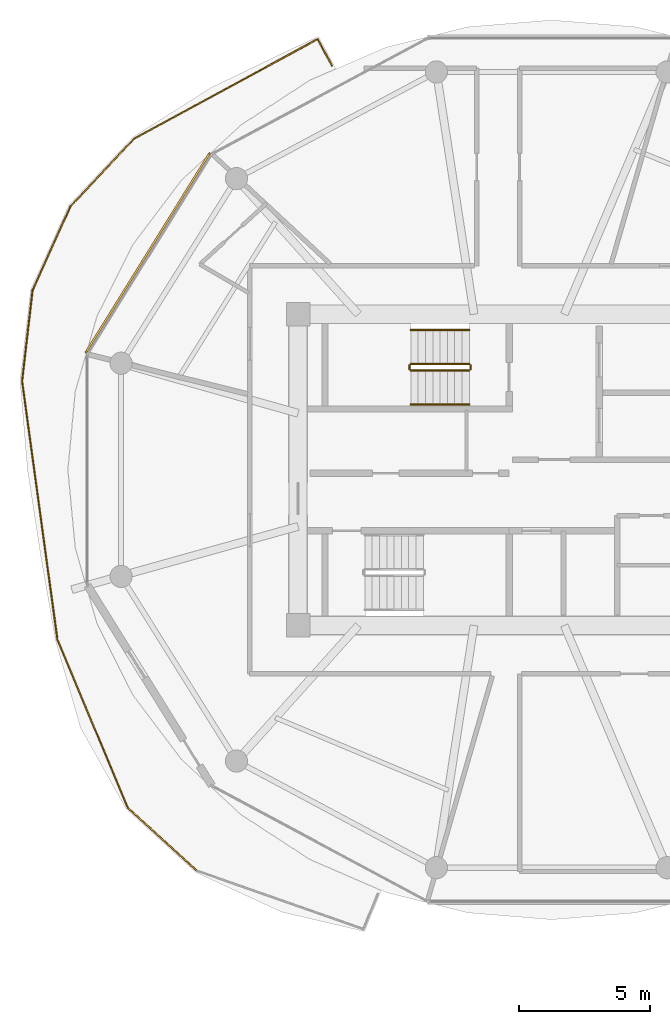
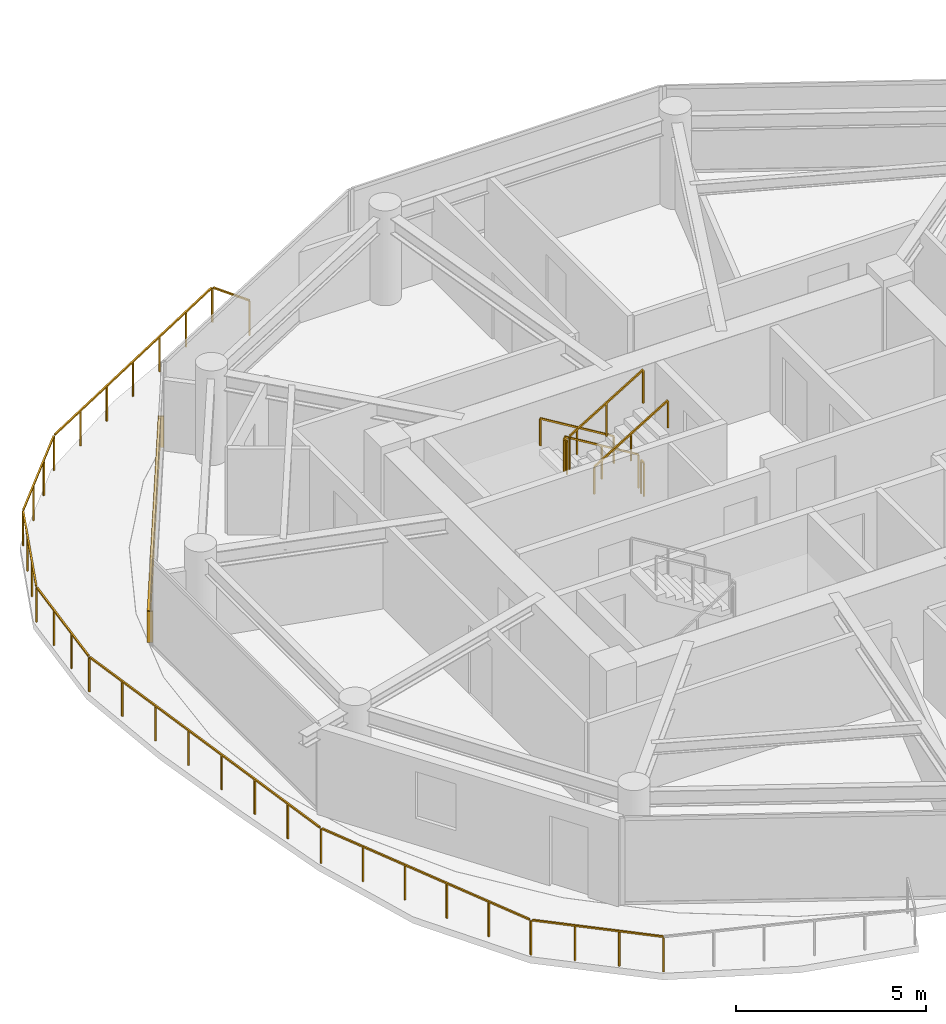
# One storey, part 20 of 23: 7 railings, 1 shading device.
"""IFC4 building model written with IfcOpenShell, lengths in metres."""

from ifc_helpers import new_model, si_unit, direction, frame, origin, origin_2d, place, context, subcontext, project, spatial, rectangle, extrude, source, transform, mapped, material, type_object, type_shapes, element, save


model = new_model("IFC4")

# Units and contexts
model_context = context("Model", 3, precision=1e-05, world=origin(), true_north=direction((0.0, 1.0)))
body_context = subcontext(model_context, "Body", "Model", "MODEL_VIEW")
ifc_project = project(units=[si_unit("LENGTHUNIT", "METRE"), si_unit("AREAUNIT", "SQUARE_METRE"), si_unit("VOLUMEUNIT", "CUBIC_METRE"), si_unit("PLANEANGLEUNIT", "RADIAN"), si_unit("MASSUNIT", "GRAM", prefix="KILO")], contexts=[model_context])

# Site, building, storey
site_placement = place(None, origin())
site = spatial("IfcSite", under=ifc_project, at=site_placement, CompositionType="ELEMENT")
building_placement = place(site_placement, origin())
building = spatial("IfcBuilding", under=site, at=building_placement, Name="Norrkilde Senior Care Towers", CompositionType="ELEMENT")
storey_placement = place(building_placement, frame((0.0, 0.0, 93.199951171875)))
storey = spatial("IfcBuildingStorey", under=building, at=storey_placement, Name="L28", CompositionType="ELEMENT", Elevation=93.199951171875)

# Railings
ifc_material_1 = material(Name="Anodised Aluminium", Category="aluminium")
railing_type_1 = type_object("IfcRailingType", Name="Balcony Swirl Ribbon Guardrail 1150", PredefinedType="GUARDRAIL", material=ifc_material_1)
railing_1_placement = place(storey_placement, frame((-39.524658203125, -15.323486328125, 0.0)))
element("IfcRailing", 1, at=railing_1_placement, inside=storey, type_object=railing_type_1, Name="L28 Perimeter Safety Guard 03", PredefinedType="GUARDRAIL", context=body_context, shape_type="SweptSolid", body=[
    extrude(rectangle(XDim=0.048095703125, YDim=0.048095703125, at=origin_2d()), frame((0.0, 0.0, 1.1259765625), z_axis=(-0.738757089368, 0.673971781983, 0.0), x_axis=(-0.673971781983, -0.738757089368, 0.0)), (0.0, 0.0, 1.0), 3.5390625),
    extrude(rectangle(XDim=0.048095703125, YDim=0.048095703125, at=origin_2d()), frame((-2.66064453125, 2.45068359375, 1.1259765625), z_axis=(-0.38556179969, 0.922682013816, 0.0), x_axis=(-0.922682013816, -0.38556179969, 0.0)), (0.0, 0.0, 1.0), 6.877197265625),
    extrude(rectangle(XDim=0.048095703125, YDim=0.048095703125, at=origin_2d()), frame((-5.33349609375, 8.874267578125, 1.1259765625), z_axis=(-0.135466221304, 0.990781965361, 0.0), x_axis=(-0.990781965361, -0.135466221304, 0.0)), (0.0, 0.0, 1.0), 9.88623046875),
    extrude(rectangle(XDim=0.048095703125, YDim=0.048095703125, at=origin_2d()), frame((-6.673583984375, 18.75048828125, 1.1259765625), z_axis=(0.114218410054, 0.99345566323, 0.0), x_axis=(-0.99345566323, 0.114218410054, 0.0)), (0.0, 0.0, 1.0), 3.4130859375),
    extrude(rectangle(XDim=0.048095703125, YDim=0.048095703125, at=origin_2d()), frame((-6.26220703125, 22.21923828125, 1.1259765625), z_axis=(0.410965730429, 0.911650793019, 0.0), x_axis=(-0.911650793019, 0.410965730429, 0.0)), (0.0, 0.0, 1.0), 3.447509765625),
    extrude(rectangle(XDim=0.048095703125, YDim=0.048095703125, at=origin_2d()), frame((-4.800537109375, 25.42919921875, 1.1259765625), z_axis=(0.6856176731, 0.727961816535, 0.0), x_axis=(-0.727961816535, 0.6856176731, 0.0)), (0.0, 0.0, 1.0), 3.469970703125),
    extrude(rectangle(XDim=0.048095703125, YDim=0.048095703125, at=origin_2d()), frame((-2.357666015625, 28.00439453125, 1.1259765625), z_axis=(0.878820820073, 0.477151931995, 0.0), x_axis=(-0.477151931995, 0.878820820073, 0.0)), (0.0, 0.0, 1.0), 7.900634765625),
    extrude(rectangle(XDim=0.048095703125, YDim=0.048095703125, at=origin_2d()), frame((4.640869140625, 31.7578125, 1.1259765625), z_axis=(0.47383406953, -0.880614146237, 0.0), x_axis=(0.880614146237, 0.47383406953, 0.0)), (0.0, 0.0, 1.0), 1.109619140625),
    extrude(rectangle(XDim=0.0419921875, YDim=0.0419921875, at=origin_2d()), origin(), (0.0, 0.0, 1.0), 1.099853515625),
    extrude(rectangle(XDim=0.0419921875, YDim=0.0419921875, at=origin_2d()), frame((-0.881591796875, 0.80419921875, 0.0)), (0.0, 0.0, 1.0), 1.099853515625),
    extrude(rectangle(XDim=0.0419921875, YDim=0.0419921875, at=origin_2d()), frame((-1.76318359375, 1.608642578125, 0.0)), (0.0, 0.0, 1.0), 1.099853515625),
    extrude(rectangle(XDim=0.0419921875, YDim=0.0419921875, at=origin_2d()), frame((-2.644775390625, 2.412841796875, 0.0)), (0.0, 0.0, 1.0), 1.099853515625),
    extrude(rectangle(XDim=0.0419921875, YDim=0.0419921875, at=origin_2d()), frame((-3.181396484375, 3.697021484375, 0.0)), (0.0, 0.0, 1.0), 1.099853515625),
    extrude(rectangle(XDim=0.0419921875, YDim=0.0419921875, at=origin_2d()), frame((-3.718017578125, 4.981201171875, 0.0)), (0.0, 0.0, 1.0), 1.099853515625),
    extrude(rectangle(XDim=0.0419921875, YDim=0.0419921875, at=origin_2d()), frame((-4.254638671875, 6.265380859375, 0.0)), (0.0, 0.0, 1.0), 1.099853515625),
    extrude(rectangle(XDim=0.0419921875, YDim=0.0419921875, at=origin_2d()), frame((-4.791259765625, 7.549560546875, 0.0)), (0.0, 0.0, 1.0), 1.099853515625),
    extrude(rectangle(XDim=0.0419921875, YDim=0.0419921875, at=origin_2d()), frame((-5.327880859375, 8.833740234375, 0.0)), (0.0, 0.0, 1.0), 1.099853515625),
    extrude(rectangle(XDim=0.0419921875, YDim=0.0419921875, at=origin_2d()), frame((-5.520751953125, 10.24462890625, 0.0)), (0.0, 0.0, 1.0), 1.099853515625),
    extrude(rectangle(XDim=0.0419921875, YDim=0.0419921875, at=origin_2d()), frame((-5.713623046875, 11.655517578125, 0.0)), (0.0, 0.0, 1.0), 1.099853515625),
    extrude(rectangle(XDim=0.0419921875, YDim=0.0419921875, at=origin_2d()), frame((-5.906494140625, 13.06640625, 0.0)), (0.0, 0.0, 1.0), 1.099853515625),
    extrude(rectangle(XDim=0.0419921875, YDim=0.0419921875, at=origin_2d()), frame((-6.099609375, 14.477294921875, 0.0)), (0.0, 0.0, 1.0), 1.099853515625),
    extrude(rectangle(XDim=0.0419921875, YDim=0.0419921875, at=origin_2d()), frame((-6.29248046875, 15.88818359375, 0.0)), (0.0, 0.0, 1.0), 1.099853515625),
    extrude(rectangle(XDim=0.0419921875, YDim=0.0419921875, at=origin_2d()), frame((-6.4853515625, 17.299072265625, 0.0)), (0.0, 0.0, 1.0), 1.099853515625),
    extrude(rectangle(XDim=0.0419921875, YDim=0.0419921875, at=origin_2d()), frame((-6.67822265625, 18.7099609375, 0.0)), (0.0, 0.0, 1.0), 1.099853515625),
    extrude(rectangle(XDim=0.0419921875, YDim=0.0419921875, at=origin_2d()), frame((-6.545166015625, 19.8671875, 0.0)), (0.0, 0.0, 1.0), 1.099853515625),
    extrude(rectangle(XDim=0.0419921875, YDim=0.0419921875, at=origin_2d()), frame((-6.412109375, 21.024658203125, 0.0)), (0.0, 0.0, 1.0), 1.099853515625),
    extrude(rectangle(XDim=0.0419921875, YDim=0.0419921875, at=origin_2d()), frame((-6.279052734375, 22.181884765625, 0.0)), (0.0, 0.0, 1.0), 1.099853515625),
    extrude(rectangle(XDim=0.0419921875, YDim=0.0419921875, at=origin_2d()), frame((-5.795654296875, 23.25439453125, 0.0)), (0.0, 0.0, 1.0), 1.099853515625),
    extrude(rectangle(XDim=0.0419921875, YDim=0.0419921875, at=origin_2d()), frame((-5.31201171875, 24.326904296875, 0.0)), (0.0, 0.0, 1.0), 1.099853515625),
    extrude(rectangle(XDim=0.0419921875, YDim=0.0419921875, at=origin_2d()), frame((-4.82861328125, 25.3994140625, 0.0)), (0.0, 0.0, 1.0), 1.099853515625),
    extrude(rectangle(XDim=0.0419921875, YDim=0.0419921875, at=origin_2d()), frame((-4.016845703125, 26.26123046875, 0.0)), (0.0, 0.0, 1.0), 1.099853515625),
    extrude(rectangle(XDim=0.0419921875, YDim=0.0419921875, at=origin_2d()), frame((-3.205322265625, 27.123046875, 0.0)), (0.0, 0.0, 1.0), 1.099853515625),
    extrude(rectangle(XDim=0.0419921875, YDim=0.0419921875, at=origin_2d()), frame((-2.3935546875, 27.98486328125, 0.0)), (0.0, 0.0, 1.0), 1.099853515625),
    extrude(rectangle(XDim=0.0419921875, YDim=0.0419921875, at=origin_2d()), frame((-1.224365234375, 28.61962890625, 0.0)), (0.0, 0.0, 1.0), 1.099853515625),
    extrude(rectangle(XDim=0.0419921875, YDim=0.0419921875, at=origin_2d()), frame((-0.05517578125, 29.25439453125, 0.0)), (0.0, 0.0, 1.0), 1.099853515625),
    extrude(rectangle(XDim=0.0419921875, YDim=0.0419921875, at=origin_2d()), frame((1.114013671875, 29.88916015625, 0.0)), (0.0, 0.0, 1.0), 1.099853515625),
    extrude(rectangle(XDim=0.0419921875, YDim=0.0419921875, at=origin_2d()), frame((2.283203125, 30.524169921875, 0.0)), (0.0, 0.0, 1.0), 1.099853515625),
    extrude(rectangle(XDim=0.0419921875, YDim=0.0419921875, at=origin_2d()), frame((3.452392578125, 31.158935546875, 0.0)), (0.0, 0.0, 1.0), 1.099853515625),
    extrude(rectangle(XDim=0.0419921875, YDim=0.0419921875, at=origin_2d()), frame((4.62158203125, 31.793701171875, 0.0)), (0.0, 0.0, 1.0), 1.099853515625),
    extrude(rectangle(XDim=0.0419921875, YDim=0.0419921875, at=origin_2d()), frame((5.166748046875, 30.780517578125, 0.0)), (0.0, 0.0, 1.0), 1.099853515625),
])
ifc_material_2 = material(Name="Stainless Steel", Category="steel")
railing_type_2 = type_object("IfcRailingType", Name="Stair and Terrace Guardrail 1100", PredefinedType="GUARDRAIL", material=ifc_material_2)
railing_2_placement = place(storey_placement, frame((-29.10009765625, 4.050048828125, 0.16943359375)))
element("IfcRailing", 2, at=railing_2_placement, inside=storey, type_object=railing_type_2, Name="L28 ST-W1 stair guard 1", PredefinedType="GUARDRAIL", context=body_context, shape_type="SweptSolid", body=[
    extrude(rectangle(XDim=0.048095703125, YDim=0.048095703125, at=origin_2d()), frame((0.0, 0.0, 1.076171875), z_axis=(-0.855512035549, 0.0, 0.517782924622), x_axis=(0.0, -1.0, 0.0)), (0.0, 0.0, 1.0), 2.618408203125),
    extrude(rectangle(XDim=0.0419921875, YDim=0.0419921875, at=origin_2d()), origin(), (0.0, 0.0, 1.0), 1.050048828125),
    extrude(rectangle(XDim=0.0419921875, YDim=0.0419921875, at=origin_2d()), frame((-1.1201171875, 0.0, 0.677734375)), (0.0, 0.0, 1.0), 1.050048828125),
    extrude(rectangle(XDim=0.0419921875, YDim=0.0419921875, at=origin_2d()), frame((-2.239990234375, 0.0, 1.355712890625)), (0.0, 0.0, 1.0), 1.050048828125),
])
railing_3_placement = place(storey_placement, frame((-31.389892578125, 4.0, 1.525146484375)))
element("IfcRailing", 3, at=railing_3_placement, inside=storey, type_object=railing_type_2, Name="L28 ST-W1 stair guard 2", PredefinedType="GUARDRAIL", context=body_context, shape_type="SweptSolid", body=[
    extrude(rectangle(XDim=0.048095703125, YDim=0.048095703125, at=origin_2d()), frame((0.0, 0.0, 1.076171875), z_axis=(0.0, -1.0, 0.0), x_axis=(1.0, 0.0, 0.0)), (0.0, 0.0, 1.0), 0.14990234375),
    extrude(rectangle(XDim=0.0419921875, YDim=0.0419921875, at=origin_2d()), origin(), (0.0, 0.0, 1.0), 1.050048828125),
    extrude(rectangle(XDim=0.0419921875, YDim=0.0419921875, at=origin_2d()), frame((0.0, -0.14990234375, 0.0)), (0.0, 0.0, 1.0), 1.050048828125),
])
railing_4_placement = place(storey_placement, frame((-31.340087890625, 3.800048828125, 1.694580078125)))
element("IfcRailing", 4, at=railing_4_placement, inside=storey, type_object=railing_type_2, Name="L28 ST-W1 stair guard 3", PredefinedType="GUARDRAIL", context=body_context, shape_type="SweptSolid", body=[
    extrude(rectangle(XDim=0.048095703125, YDim=0.048095703125, at=origin_2d()), frame((0.0, 0.0, 1.076171875), z_axis=(0.855553338991, 0.0, 0.51771467445), x_axis=(0.0, 1.0, 0.0)), (0.0, 0.0, 1.0), 2.6181640625),
    extrude(rectangle(XDim=0.0419921875, YDim=0.0419921875, at=origin_2d()), origin(), (0.0, 0.0, 1.0), 1.050048828125),
    extrude(rectangle(XDim=0.0419921875, YDim=0.0419921875, at=origin_2d()), frame((1.1201171875, 0.0, 0.677734375)), (0.0, 0.0, 1.0), 1.050048828125),
    extrude(rectangle(XDim=0.0419921875, YDim=0.0419921875, at=origin_2d()), frame((2.239990234375, 0.0, 1.35546875)), (0.0, 0.0, 1.0), 1.050048828125),
])
railing_5_placement = place(storey_placement, frame((-29.050048828125, 4.0, 0.0)))
element("IfcRailing", 5, at=railing_5_placement, inside=storey, type_object=railing_type_2, Name="L28 ST-W1 stair guard 4", PredefinedType="GUARDRAIL", context=body_context, shape_type="SweptSolid", body=[
    extrude(rectangle(XDim=0.048095703125, YDim=0.048095703125, at=origin_2d()), frame((0.0, 0.0, 1.076171875), z_axis=(0.0, -1.0, 0.0), x_axis=(1.0, 0.0, 0.0)), (0.0, 0.0, 1.0), 0.14990234375),
    extrude(rectangle(XDim=0.0419921875, YDim=0.0419921875, at=origin_2d()), origin(), (0.0, 0.0, 1.0), 1.050048828125),
    extrude(rectangle(XDim=0.0419921875, YDim=0.0419921875, at=origin_2d()), frame((0.0, -0.14990234375, 0.0)), (0.0, 0.0, 1.0), 1.050048828125),
])
ifc_material_3 = material(Name="Nordic Ash Timber", Category="wood")
railing_type_3 = type_object("IfcRailingType", Name="Wall and Stair Handrail 900", PredefinedType="HANDRAIL", material=ifc_material_3)
railing_6_placement = place(storey_placement, frame((-29.10009765625, 5.35009765625, 0.16943359375)))
element("IfcRailing", 6, at=railing_6_placement, inside=storey, type_object=railing_type_3, Name="L28 ST-W1 stair handrail 1", PredefinedType="HANDRAIL", context=body_context, shape_type="SweptSolid", body=[
    extrude(rectangle(XDim=0.048095703125, YDim=0.048095703125, at=origin_2d()), frame((0.0, 0.0, 0.8759765625), z_axis=(-0.855512035549, 0.0, 0.517782924622), x_axis=(0.0, -1.0, 0.0)), (0.0, 0.0, 1.0), 2.618408203125),
    extrude(rectangle(XDim=0.0419921875, YDim=0.0419921875, at=origin_2d()), origin(), (0.0, 0.0, 1.0), 0.849853515625),
    extrude(rectangle(XDim=0.0419921875, YDim=0.0419921875, at=origin_2d()), frame((-1.1201171875, 0.0, 0.677734375)), (0.0, 0.0, 1.0), 0.849853515625),
    extrude(rectangle(XDim=0.0419921875, YDim=0.0419921875, at=origin_2d()), frame((-2.239990234375, 0.0, 1.355712890625)), (0.0, 0.0, 1.0), 0.849853515625),
])
railing_7_placement = place(storey_placement, frame((-31.340087890625, 2.5, 1.694580078125)))
element("IfcRailing", 7, at=railing_7_placement, inside=storey, type_object=railing_type_3, Name="L28 ST-W1 stair handrail 2", PredefinedType="HANDRAIL", context=body_context, shape_type="SweptSolid", body=[
    extrude(rectangle(XDim=0.048095703125, YDim=0.048095703125, at=origin_2d()), frame((0.0, 0.0, 0.8759765625), z_axis=(0.855553338991, 0.0, 0.51771467445), x_axis=(0.0, 1.0, 0.0)), (0.0, 0.0, 1.0), 2.6181640625),
    extrude(rectangle(XDim=0.0419921875, YDim=0.0419921875, at=origin_2d()), origin(), (0.0, 0.0, 1.0), 0.849853515625),
    extrude(rectangle(XDim=0.0419921875, YDim=0.0419921875, at=origin_2d()), frame((1.1201171875, 0.0, 0.677734375)), (0.0, 0.0, 1.0), 0.849853515625),
    extrude(rectangle(XDim=0.0419921875, YDim=0.0419921875, at=origin_2d()), frame((2.239990234375, 0.0, 1.35546875)), (0.0, 0.0, 1.0), 0.849853515625),
])

# Shading device
ifc_material_4 = material(Name="Architectural Terracotta", Category="masonry")
shading_device_type = type_object("IfcShadingDeviceType", Name="Horizontal Terracotta Baguette Rack", PredefinedType="USERDEFINED", material=ifc_material_4)
shared_shape = source(origin(), body_context, "Body", "SweptSolid", [
    extrude(rectangle(XDim=0.070068359375, YDim=0.110107421875, at=origin_2d()), frame((0.0, 0.090087890625, 0.125), z_axis=(1.0, 0.0, 0.0), x_axis=(0.0, 1.0, 0.0)), (0.0, 0.0, 1.0), 9.01416015625),
    extrude(rectangle(XDim=0.070068359375, YDim=0.110107421875, at=origin_2d()), frame((0.0, 0.090087890625, 0.375), z_axis=(1.0, 0.0, 0.0), x_axis=(0.0, 1.0, 0.0)), (0.0, 0.0, 1.0), 9.01416015625),
    extrude(rectangle(XDim=0.070068359375, YDim=0.110107421875, at=origin_2d()), frame((0.0, 0.090087890625, 0.625), z_axis=(1.0, 0.0, 0.0), x_axis=(0.0, 1.0, 0.0)), (0.0, 0.0, 1.0), 9.01416015625),
    extrude(rectangle(XDim=0.070068359375, YDim=0.110107421875, at=origin_2d()), frame((0.0, 0.090087890625, 0.875), z_axis=(1.0, 0.0, 0.0), x_axis=(0.0, 1.0, 0.0)), (0.0, 0.0, 1.0), 9.01416015625),
    extrude(rectangle(XDim=0.050048828125, YDim=0.1552734375, at=origin_2d()), frame((0.02490234375, 0.047607421875, 0.0)), (0.0, 0.0, 1.0), 1.0),
    extrude(rectangle(XDim=0.050048828125, YDim=0.1552734375, at=origin_2d()), frame((8.9892578125, 0.047607421875, 0.0)), (0.0, 0.0, 1.0), 1.0),
])
type_shapes(shading_device_type, [shared_shape])
shading_device_placement = place(storey_placement, frame((-43.70361328125, 4.420654296875, 0.080078125), z_axis=(0.0, 0.0, 1.0), x_axis=(0.527734142246, 0.849412274525, 0.0)))
element("IfcShadingDevice", 8, at=shading_device_placement, inside=storey, type_object=shading_device_type, Name="L28 Drum W Terracotta Baguette Screen 04", ObjectType="BAGUETTE", PredefinedType="USERDEFINED", context=body_context, shape_type="MappedRepresentation", body=[
    mapped(shared_shape, transform((0.0, 0.0, 0.0), x_axis=(1.0, 0.0, 0.0), y_axis=(0.0, 1.0, 0.0), z_axis=(0.0, 0.0, 1.0), scale=1.0)),
])

save(model, "model.ifc")
